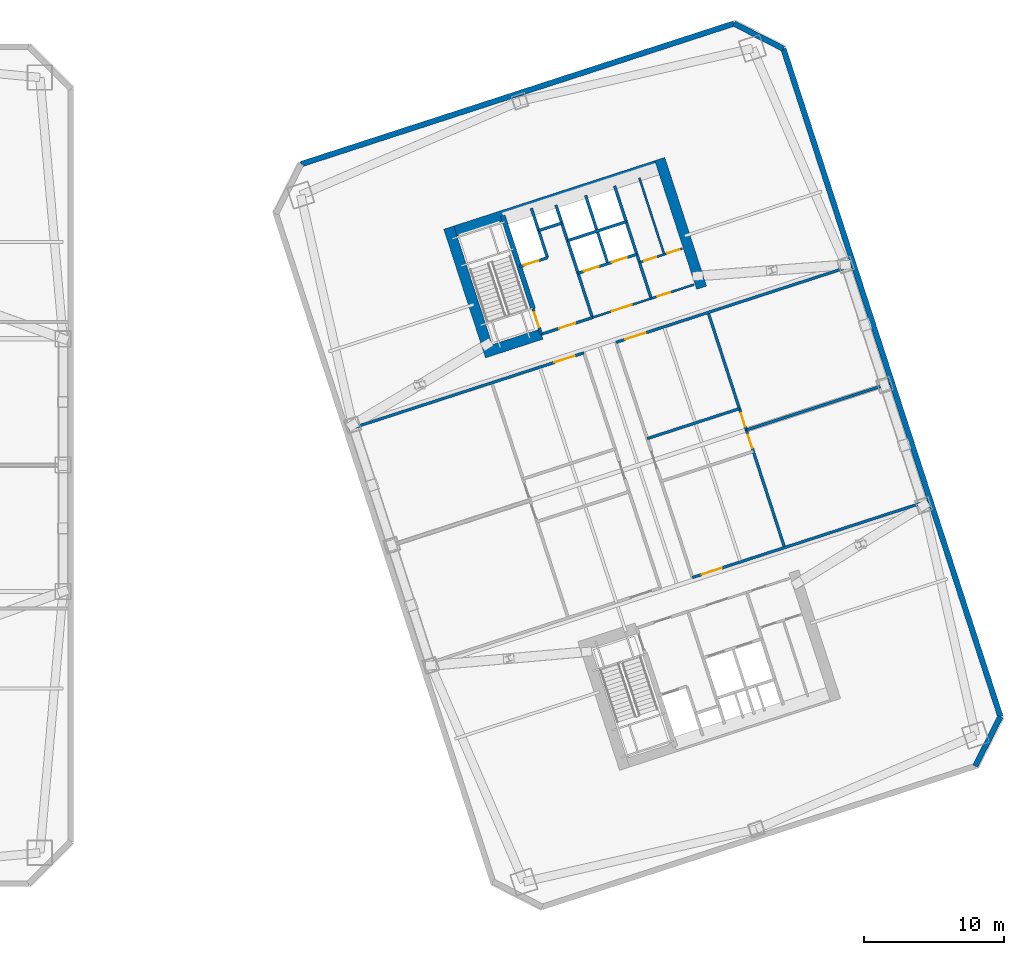
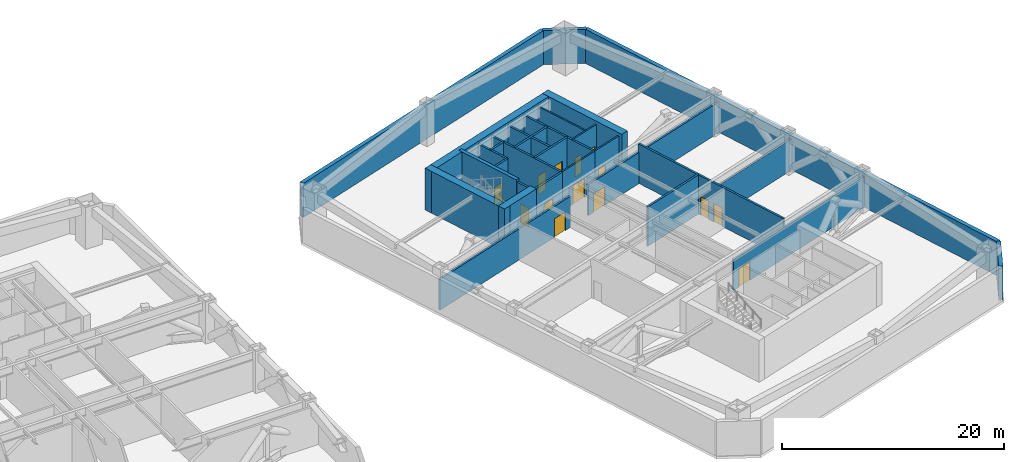
# One storey, part 13 of 16: 29 walls, 14 doors, 14 openings.
"""IFC4 building model written with IfcOpenShell, lengths in metres."""

from ifc_helpers import new_model, si_unit, direction, frame, frame_2d, origin, place, context, subcontext, project, spatial, rectangle, extrude, material, layer, layer_set, type_object, element, fill, save


model = new_model("IFC4")

# Units and contexts
model_context = context("Model", 3, precision=1e-05, world=origin(), true_north=direction((0.0, 1.0)))
body_context = subcontext(model_context, "Body", "Model", "MODEL_VIEW")
ifc_project = project(units=[si_unit("LENGTHUNIT", "METRE"), si_unit("AREAUNIT", "SQUARE_METRE"), si_unit("VOLUMEUNIT", "CUBIC_METRE"), si_unit("PLANEANGLEUNIT", "RADIAN"), si_unit("MASSUNIT", "GRAM", prefix="KILO")], contexts=[model_context])

# Site, building, storey
site_placement = place(None, origin())
site = spatial("IfcSite", under=ifc_project, at=site_placement, CompositionType="ELEMENT")
building_placement = place(site_placement, origin())
building = spatial("IfcBuilding", under=site, at=building_placement, Name="Qiaolan Cultural Towers", CompositionType="ELEMENT")
storey_placement = place(building_placement, frame((0.0, 0.0, 46.0)))
storey = spatial("IfcBuildingStorey", under=building, at=storey_placement, Name="L10", CompositionType="ELEMENT", Elevation=46.0)

# Walls
ifc_material_1 = material(Name="Concrete C50", Category="concrete")
ifc_layer_1 = layer(ifc_material_1, 0.35009765625)
ifc_layer_set_1 = layer_set([ifc_layer_1], Name="Concrete C50")
wall_type_1 = type_object("IfcWallType", Name="WL-CORE-350", PredefinedType="SHEAR", material=ifc_layer_set_1)
wall_1_placement = place(storey_placement, frame((82.513671875, 45.13134765625, 0.0), z_axis=(0.0, 0.0, 1.0), x_axis=(-0.308988790936, 0.951065679686, 0.0)))
element("IfcWall", 1, at=wall_1_placement, inside=storey, type_object=wall_type_1, Name="L10 T2-CN Stair Core Dividing Web", PredefinedType="SHEAR", context=body_context, shape_type="SweptSolid", body=[
    extrude(rectangle(XDim=6.97998046875, YDim=0.35009765625, at=frame_2d((3.489990234375, 0.0))), origin(), (0.0, 0.0, 1.0), 4.60009765625),
])
ifc_material_2 = material(Name="Concrete C60", Category="concrete")
ifc_layer_2 = layer(ifc_material_2, 0.75)
ifc_layer_set_2 = layer_set([ifc_layer_2], Name="Concrete C60")
wall_type_2 = type_object("IfcWallType", Name="WL-CORE-750", PredefinedType="SHEAR", material=ifc_layer_set_2)
wall_2_placement = place(storey_placement, frame((76.27197265625, 50.442626953125, 0.0), z_axis=(0.0, 0.0, 1.0), x_axis=(0.951056072937, 0.309018358888, 0.0)))
element("IfcWall", 2, at=wall_2_placement, inside=storey, type_object=wall_type_2, Name="L10 T2-CN Outer Core Shear Wall", PredefinedType="SHEAR", context=body_context, shape_type="SweptSolid", body=[
    extrude(rectangle(XDim=16.550048828125, YDim=0.75, at=frame_2d((8.27490234375, 0.0))), origin(), (0.0, 0.0, 1.0), 4.60009765625),
])
for number, where, z_axis, x_axis, name in (
    (3, (79.48876953125, 41.75634765625, 0.0), (0.0, 0.0, 1.0), (-0.309016134813, 0.951056795583, 0.0), "L10 T2-CN West Core Shear Wall"),
    (4, (94.515380859375, 46.638916015625, 0.0), (0.0, 0.0, 1.0), (-0.309016134813, 0.951056795583, 0.0), "L10 T2-CN East Core Shear Wall"),
):
    element("IfcWall", number, at=place(storey_placement, frame(where, z_axis=z_axis, x_axis=x_axis)), inside=storey, type_object=wall_type_2, Name=name, PredefinedType="SHEAR", context=body_context, shape_type="SweptSolid", body=[
        extrude(rectangle(XDim=9.630126953125, YDim=0.75, at=frame_2d((4.81494140625, 0.0))), origin(), (0.0, 0.0, 1.0), 4.60009765625),
    ])
wall_3_placement = place(storey_placement, frame((79.01611328125, 41.997314453125, 0.0), z_axis=(0.0, 0.0, 1.0), x_axis=(0.95106038264, 0.309005094736, 0.0)))
element("IfcWall", 5, at=wall_3_placement, inside=storey, type_object=wall_type_2, Name="L10 T2-CN Stair Front Shear Wall", PredefinedType="SHEAR", context=body_context, shape_type="SweptSolid", body=[
    extrude(rectangle(XDim=4.294921875, YDim=0.75, at=frame_2d((2.1474609375, 0.0))), origin(), (0.0, 0.0, 1.0), 4.60009765625),
])
ifc_material_3 = material(Name="Precast Concrete C50 Honed Stone Pier", Category="masonry")
ifc_layer_3 = layer(ifc_material_3, 0.39990234375)
ifc_layer_set_3 = layer_set([ifc_layer_3], Name="Precast Concrete C50 Honed Stone Pier")
wall_type_3 = type_object("IfcWallType", Name="WL-EXT-PIER-400", PredefinedType="SOLIDWALL", material=ifc_layer_set_3)
wall_4_placement = place(storey_placement, frame((66.002197265625, 55.433349609375, 0.0), z_axis=(0.0, 0.0, 1.0), x_axis=(0.951055939317, 0.309018770125, 0.0)))
element("IfcWall", 6, at=wall_4_placement, inside=storey, type_object=wall_type_3, Name="L10 East Tower Precast Pier Facade Wall F3", PredefinedType="SOLIDWALL", context=body_context, shape_type="SweptSolid", body=[
    extrude(rectangle(XDim=32.39990234375, YDim=0.39990234375, at=frame_2d((16.199951171875, 0.0))), origin(), (0.0, 0.0, 1.0), 3.760009765625),
])
wall_5_placement = place(storey_placement, frame((96.81640625, 65.445556640625, 0.0), z_axis=(0.0, 0.0, 1.0), x_axis=(0.890998089617, -0.454007053137, 0.0)))
element("IfcWall", 7, at=wall_5_placement, inside=storey, type_object=wall_type_3, Name="L10 East Tower Precast Pier Facade Wall F4", PredefinedType="SOLIDWALL", context=body_context, shape_type="SweptSolid", body=[
    extrude(rectangle(XDim=3.9599609375, YDim=0.39990234375, at=frame_2d((1.97998046875, 0.0))), origin(), (0.0, 0.0, 1.0), 3.760009765625),
])
wall_6_placement = place(storey_placement, frame((100.3447265625, 63.647705078125, 0.0), z_axis=(0.0, 0.0, 1.0), x_axis=(0.309014526607, -0.951057318118, 0.0)))
element("IfcWall", 8, at=wall_6_placement, inside=storey, type_object=wall_type_3, Name="L10 East Tower Precast Pier Facade Wall F5", PredefinedType="SOLIDWALL", context=body_context, shape_type="SweptSolid", body=[
    extrude(rectangle(XDim=49.999755859375, YDim=0.39990234375, at=frame_2d((25.0, 0.0))), origin(), (0.0, 0.0, 1.0), 3.760009765625),
])
wall_7_placement = place(storey_placement, frame((115.79541015625, 16.094970703125, 0.0), z_axis=(0.0, 0.0, 1.0), x_axis=(-0.453958106755, -0.891023028497, 0.0)))
element("IfcWall", 9, at=wall_7_placement, inside=storey, type_object=wall_type_3, Name="L10 East Tower Precast Pier Facade Wall F6", PredefinedType="SOLIDWALL", context=body_context, shape_type="SweptSolid", body=[
    extrude(rectangle(XDim=3.9599609375, YDim=0.39990234375, at=frame_2d((1.97998046875, 0.0))), origin(), (0.0, 0.0, 1.0), 3.760009765625),
])

# Wall, opening, door
ifc_material_4 = material(Name="Concrete C35 Fire Wall", Category="concrete")
ifc_layer_4 = layer(ifc_material_4, 0.199951171875)
ifc_layer_set_4 = layer_set([ifc_layer_4], Name="Concrete C35 Fire Wall")
wall_type_4 = type_object("IfcWallType", Name="WL-FIRE-200", PredefinedType="PARTITIONING", material=ifc_layer_set_4)
wall_8_placement = place(storey_placement, frame((83.100830078125, 43.324462890625, 0.0), z_axis=(0.0, 0.0, 1.0), x_axis=(-0.309048298632, 0.951046344356, 0.0)))
wall_8 = element("IfcWall", 10, at=wall_8_placement, inside=storey, type_object=wall_type_4, Name="L10 T2-CN Smokeproof Stair Entry Wall", PredefinedType="PARTITIONING", context=body_context, shape_type="SweptSolid", body=[
    extrude(rectangle(XDim=1.89990234375, YDim=0.199951171875, at=frame_2d((0.949951171875, 0.0))), origin(), (0.0, 0.0, 1.0), 4.324951171875),
])
opening_1_placement = place(wall_8_placement, frame((0.52001953125, 0.0, 0.0)))
opening_1 = element("IfcOpeningElement", 11, at=opening_1_placement, cuts=wall_8, Name="Opening FD-04", PredefinedType="OPENING", context=body_context, shape_type="SweptSolid", body=[
    extrude(rectangle(XDim=1.10009765625, YDim=2.050048828125, at=frame_2d((0.550048828125, 1.02490234375))), frame((0.0, 0.10986328125, 0.0), z_axis=(0.0, -1.0, 0.0), x_axis=(1.0, 0.0, 0.0)), (0.0, 0.0, 1.0), 0.219970703125),
])
ifc_material_5 = material(Name="Galvanized Steel Command Fire Door", Category="steel")
door_type_1 = type_object("IfcDoorType", Name="DR-FD90-1100", OperationType="NOTDEFINED", PredefinedType="DOOR", material=ifc_material_5)
door_1_placement = place(opening_1_placement, origin())
door_1 = element("IfcDoor", 12, at=door_1_placement, inside=storey, type_object=door_type_1, Name="L10 ST-E2 Smokeproof Stair Fire Door", OperationType="SINGLE_SWING_LEFT", OverallHeight=2.050048828125, OverallWidth=1.10009765625, PredefinedType="DOOR", context=body_context, shape_type="SweptSolid", body=[
    extrude(rectangle(XDim=1.10009765625, YDim=2.050048828125, at=frame_2d((0.550048828125, 1.02490234375))), frame((0.0, 0.02490234375, 0.0), z_axis=(0.0, -1.0, 0.0), x_axis=(1.0, 0.0, 0.0)), (0.0, 0.0, 1.0), 0.050048828125),
])
fill(opening_1, door_1)

# Wall
wall_9_placement = place(storey_placement, frame((86.743408203125, 44.508056640625, 0.0), z_axis=(0.0, 0.0, 1.0), x_axis=(-0.309016001439, 0.951056838919, 0.0)))
element("IfcWall", 13, at=wall_9_placement, inside=storey, type_object=wall_type_4, Name="L10 T2-CN Firefighting Zone Wall", PredefinedType="PARTITIONING", context=body_context, shape_type="SweptSolid", body=[
    extrude(rectangle(XDim=8.429931640625, YDim=0.199951171875, at=frame_2d((4.21484375, 0.0))), origin(), (0.0, 0.0, 1.0), 4.324951171875),
])

# Wall, opening, door
wall_10_placement = place(storey_placement, frame((83.100830078125, 43.324462890625, 0.0), z_axis=(0.0, 0.0, 1.0), x_axis=(0.951052804469, 0.309028417967, 0.0)))
wall_10 = element("IfcWall", 14, at=wall_10_placement, inside=storey, type_object=wall_type_4, Name="L10 T2-CN Firefighting Lobby Front Wall", PredefinedType="PARTITIONING", context=body_context, shape_type="SweptSolid", body=[
    extrude(rectangle(XDim=3.830078125, YDim=0.199951171875, at=frame_2d((1.9150390625, 0.0))), origin(), (0.0, 0.0, 1.0), 4.324951171875),
])
opening_2_placement = place(wall_10_placement, frame((1.35009765625, 0.0, 0.0)))
opening_2 = element("IfcOpeningElement", 15, at=opening_2_placement, cuts=wall_10, Name="Opening FD-03", PredefinedType="OPENING", context=body_context, shape_type="SweptSolid", body=[
    extrude(rectangle(XDim=1.199951171875, YDim=2.050048828125, at=frame_2d((0.60009765625, 1.02490234375))), frame((0.0, 0.10986328125, 0.0), z_axis=(0.0, -1.0, 0.0), x_axis=(1.0, 0.0, 0.0)), (0.0, 0.0, 1.0), 0.219970703125),
])
ifc_material_6 = material(Name="Galvanized Steel Smokeproof Lobby Fire Door", Category="steel")
door_type_2 = type_object("IfcDoorType", Name="DR-FD90-1200", OperationType="NOTDEFINED", PredefinedType="DOOR", material=ifc_material_6)
door_2_placement = place(opening_2_placement, origin())
door_2 = element("IfcDoor", 16, at=door_2_placement, inside=storey, type_object=door_type_2, Name="L10 FFL-E2 Firefighting Lobby Fire Door", OperationType="SINGLE_SWING_LEFT", OverallHeight=2.050048828125, OverallWidth=1.199951171875, PredefinedType="DOOR", context=body_context, shape_type="SweptSolid", body=[
    extrude(rectangle(XDim=1.199951171875, YDim=2.050048828125, at=frame_2d((0.60009765625, 1.02490234375))), frame((0.0, 0.02490234375, 0.0), z_axis=(0.0, -1.0, 0.0), x_axis=(1.0, 0.0, 0.0)), (0.0, 0.0, 1.0), 0.050048828125),
])
fill(opening_2, door_2)

wall_11_placement = place(storey_placement, frame((81.540283203125, 48.127197265625, 0.0), z_axis=(0.0, 0.0, 1.0), x_axis=(0.951062257173, 0.308999325213, 0.0)))
wall_11 = element("IfcWall", 17, at=wall_11_placement, inside=storey, type_object=wall_type_4, Name="L10 T2-CN Firefighting Shaft Front Wall", PredefinedType="PARTITIONING", context=body_context, shape_type="SweptSolid", body=[
    extrude(rectangle(XDim=2.10009765625, YDim=0.199951171875, at=frame_2d((1.050048828125, 0.0))), origin(), (0.0, 0.0, 1.0), 4.324951171875),
])
opening_3_placement = place(wall_11_placement, frame((0.35009765625, 0.0, 0.0)))
opening_3 = element("IfcOpeningElement", 18, at=opening_3_placement, cuts=wall_11, Name="Opening LD-01", PredefinedType="OPENING", context=body_context, shape_type="SweptSolid", body=[
    extrude(rectangle(XDim=1.10009765625, YDim=2.050048828125, at=frame_2d((0.550048828125, 1.02490234375))), frame((0.0, 0.10986328125, 0.0), z_axis=(0.0, -1.0, 0.0), x_axis=(1.0, 0.0, 0.0)), (0.0, 0.0, 1.0), 0.219970703125),
])
ifc_material_7 = material(Name="Brushed Stainless Steel S30408 Centre-Parting Lift Landing Door", Category="steel")
door_type_3 = type_object("IfcDoorType", Name="DR-LIFT-1100", OperationType="NOTDEFINED", PredefinedType="DOOR", material=ifc_material_7)
door_3_placement = place(opening_3_placement, origin())
door_3 = element("IfcDoor", 19, at=door_3_placement, inside=storey, type_object=door_type_3, Name="L10 FFL-E2 Firefighting Lift Landing Door", OperationType="DOUBLE_DOOR_SLIDING", OverallHeight=2.050048828125, OverallWidth=1.10009765625, PredefinedType="DOOR", context=body_context, shape_type="SweptSolid", body=[
    extrude(rectangle(XDim=1.10009765625, YDim=2.050048828125, at=frame_2d((0.550048828125, 1.02490234375))), frame((0.0, 0.02490234375, 0.0), z_axis=(0.0, -1.0, 0.0), x_axis=(1.0, 0.0, 0.0)), (0.0, 0.0, 1.0), 0.050048828125),
])
fill(opening_3, door_3)

# Walls
wall_12_placement = place(storey_placement, frame((83.53759765625, 48.776123046875, 0.0), z_axis=(0.0, 0.0, 1.0), x_axis=(-0.3089935693, 0.951064127245, 0.0)))
element("IfcWall", 20, at=wall_12_placement, inside=storey, type_object=wall_type_4, Name="L10 T2-CN Firefighting Hoistway East Wall", PredefinedType="PARTITIONING", context=body_context, shape_type="SweptSolid", body=[
    extrude(rectangle(XDim=3.7001953125, YDim=0.199951171875, at=frame_2d((1.85009765625, 0.0))), origin(), (0.0, 0.0, 1.0), 4.324951171875),
])
wall_13_placement = place(storey_placement, frame((82.910400390625, 50.706787109375, 0.0), z_axis=(0.0, 0.0, 1.0), x_axis=(0.951041328149, 0.309063734775, 0.0)))
element("IfcWall", 21, at=wall_13_placement, inside=storey, type_object=wall_type_4, Name="L10 T2-CN Pressurization Shaft Front Wall", PredefinedType="PARTITIONING", context=body_context, shape_type="SweptSolid", body=[
    extrude(rectangle(XDim=1.72998046875, YDim=0.199951171875, at=frame_2d((0.864990234375, 0.0))), origin(), (0.0, 0.0, 1.0), 4.324951171875),
])
wall_14_placement = place(storey_placement, frame((90.92822265625, 45.86767578125, 0.0), z_axis=(0.0, 0.0, 1.0), x_axis=(-0.309042196757, 0.951048327176, 0.0)))
element("IfcWall", 22, at=wall_14_placement, inside=storey, type_object=wall_type_4, Name="L10 T2-CN Lift Core East Wall", PredefinedType="PARTITIONING", context=body_context, shape_type="SweptSolid", body=[
    extrude(rectangle(XDim=8.429931640625, YDim=0.199951171875, at=frame_2d((4.21484375, 0.0))), origin(), (0.0, 0.0, 1.0), 4.324951171875),
])

# Wall, openings, doors
wall_15_placement = place(storey_placement, frame((85.717529296875, 47.66552734375, 0.0), z_axis=(0.0, 0.0, 1.0), x_axis=(0.951058531764, 0.30901079133, 0.0)))
wall_15 = element("IfcWall", 23, at=wall_15_placement, inside=storey, type_object=wall_type_4, Name="L10 T2-CN Passenger Lift Shaft Front Wall", PredefinedType="PARTITIONING", context=body_context, shape_type="SweptSolid", body=[
    extrude(rectangle(XDim=4.39990234375, YDim=0.199951171875, at=frame_2d((2.199951171875, 0.0))), origin(), (0.0, 0.0, 1.0), 4.324951171875),
])
opening_4_placement = place(wall_15_placement, frame((0.449951171875, 0.0, 0.0)))
opening_4 = element("IfcOpeningElement", 24, at=opening_4_placement, cuts=wall_15, Name="Opening LD-01", PredefinedType="OPENING", context=body_context, shape_type="SweptSolid", body=[
    extrude(rectangle(XDim=1.10009765625, YDim=2.050048828125, at=frame_2d((0.550048828125, 1.02490234375))), frame((0.0, 0.10986328125, 0.0), z_axis=(0.0, -1.0, 0.0), x_axis=(1.0, 0.0, 0.0)), (0.0, 0.0, 1.0), 0.219970703125),
])
opening_5_placement = place(wall_15_placement, frame((2.550048828125, 0.0, 0.0)))
opening_5 = element("IfcOpeningElement", 25, at=opening_5_placement, cuts=wall_15, Name="Opening LD-01", PredefinedType="OPENING", context=body_context, shape_type="SweptSolid", body=[
    extrude(rectangle(XDim=1.10009765625, YDim=2.050048828125, at=frame_2d((0.550048828125, 1.02490234375))), frame((0.0, 0.10986328125, 0.0), z_axis=(0.0, -1.0, 0.0), x_axis=(1.0, 0.0, 0.0)), (0.0, 0.0, 1.0), 0.219970703125),
])
door_4_placement = place(opening_4_placement, origin())
door_4 = element("IfcDoor", 26, at=door_4_placement, inside=storey, type_object=door_type_3, Name="L10 Passenger Lift 1 Landing Door", OperationType="DOUBLE_DOOR_SLIDING", OverallHeight=2.050048828125, OverallWidth=1.10009765625, PredefinedType="DOOR", context=body_context, shape_type="SweptSolid", body=[
    extrude(rectangle(XDim=1.10009765625, YDim=2.050048828125, at=frame_2d((0.550048828125, 1.02490234375))), frame((0.0, 0.02490234375, 0.0), z_axis=(0.0, -1.0, 0.0), x_axis=(1.0, 0.0, 0.0)), (0.0, 0.0, 1.0), 0.050048828125),
])
fill(opening_4, door_4)
door_5_placement = place(opening_5_placement, origin())
door_5 = element("IfcDoor", 27, at=door_5_placement, inside=storey, type_object=door_type_3, Name="L10 Passenger Lift 2 Landing Door", OperationType="DOUBLE_DOOR_SLIDING", OverallHeight=2.050048828125, OverallWidth=1.10009765625, PredefinedType="DOOR", context=body_context, shape_type="SweptSolid", body=[
    extrude(rectangle(XDim=1.10009765625, YDim=2.050048828125, at=frame_2d((0.550048828125, 1.02490234375))), frame((0.0, 0.02490234375, 0.0), z_axis=(0.0, -1.0, 0.0), x_axis=(1.0, 0.0, 0.0)), (0.0, 0.0, 1.0), 0.050048828125),
])
fill(opening_5, door_5)

# Walls
wall_16_placement = place(storey_placement, frame((87.83837890625, 48.3544921875, 0.0), z_axis=(0.0, 0.0, 1.0), x_axis=(-0.3090093719, 0.951058992953, 0.0)))
element("IfcWall", 28, at=wall_16_placement, inside=storey, type_object=wall_type_4, Name="L10 T2-CN Lift Shaft Divider Wall", PredefinedType="PARTITIONING", context=body_context, shape_type="SweptSolid", body=[
    extrude(rectangle(XDim=5.110107421875, YDim=0.199951171875, at=frame_2d((2.55517578125, 0.0))), origin(), (0.0, 0.0, 1.0), 4.324951171875),
])
wall_17_placement = place(storey_placement, frame((84.966552734375, 49.9765625, 0.0), z_axis=(0.0, 0.0, 1.0), x_axis=(0.951063829732, 0.308994485023, 0.0)))
element("IfcWall", 29, at=wall_17_placement, inside=storey, type_object=wall_type_4, Name="L10 T2-CN Passenger Lift Shaft Back Wall", PredefinedType="PARTITIONING", context=body_context, shape_type="SweptSolid", body=[
    extrude(rectangle(XDim=4.400146484375, YDim=0.199951171875, at=frame_2d((2.2001953125, 0.0))), origin(), (0.0, 0.0, 1.0), 4.324951171875),
])

# Wall, opening, door
wall_18_placement = place(storey_placement, frame((93.860595703125, 26.00146484375, 0.0), z_axis=(0.0, 0.0, 1.0), x_axis=(0.951055779591, 0.309019261708, 0.0)))
wall_18 = element("IfcWall", 30, at=wall_18_placement, inside=storey, type_object=wall_type_4, Name="L10 T2 Fire Rated Plant/Refuge Wall SBE", PredefinedType="PARTITIONING", context=body_context, shape_type="SweptSolid", body=[
    extrude(rectangle(XDim=17.599853515625, YDim=0.199951171875, at=frame_2d((8.7998046875, 0.0))), origin(), (0.0, 0.0, 1.0), 3.4150390625),
])
opening_6_placement = place(wall_18_placement, frame((0.699951171875, 0.0, 0.0)))
opening_6 = element("IfcOpeningElement", 31, at=opening_6_placement, cuts=wall_18, Name="Opening FD-02", PredefinedType="OPENING", context=body_context, shape_type="SweptSolid", body=[
    extrude(rectangle(XDim=1.5, YDim=2.050048828125, at=frame_2d((0.75, 1.02490234375))), frame((0.0, 0.10986328125, 0.0), z_axis=(0.0, -1.0, 0.0), x_axis=(1.0, 0.0, 0.0)), (0.0, 0.0, 1.0), 0.219970703125),
])
ifc_material_8 = material(Name="Galvanized Steel Double Fire Door", Category="steel")
door_type_4 = type_object("IfcDoorType", Name="DR-FD90-1500", OperationType="NOTDEFINED", PredefinedType="DOOR", material=ifc_material_8)
door_6_placement = place(opening_6_placement, origin())
door_6 = element("IfcDoor", 32, at=door_6_placement, inside=storey, type_object=door_type_4, Name="L10 T2 East South Refuge Fire Door", OperationType="SINGLE_SWING_RIGHT", OverallHeight=2.050048828125, OverallWidth=1.5, PredefinedType="DOOR", context=body_context, shape_type="SweptSolid", body=[
    extrude(rectangle(XDim=1.5, YDim=2.050048828125, at=frame_2d((0.75, 1.02490234375))), frame((0.0, 0.02490234375, 0.0), z_axis=(0.0, -1.0, 0.0), x_axis=(1.0, 0.0, 0.0)), (0.0, 0.0, 1.0), 0.050048828125),
])
fill(opening_6, door_6)

wall_19_placement = place(storey_placement, frame((69.40087890625, 36.559814453125, 0.0), z_axis=(0.0, 0.0, 1.0), x_axis=(0.951055779591, 0.309019261708, 0.0)))
wall_19 = element("IfcWall", 33, at=wall_19_placement, inside=storey, type_object=wall_type_4, Name="L10 T2 Fire Rated Plant/Refuge Wall NBW", PredefinedType="PARTITIONING", context=body_context, shape_type="SweptSolid", body=[
    extrude(rectangle(XDim=17.599853515625, YDim=0.199951171875, at=frame_2d((8.7998046875, 0.0))), origin(), (0.0, 0.0, 1.0), 3.4150390625),
])
opening_7_placement = place(wall_19_placement, frame((15.39990234375, 0.0, 0.0)))
opening_7 = element("IfcOpeningElement", 34, at=opening_7_placement, cuts=wall_19, Name="Opening FD-02", PredefinedType="OPENING", context=body_context, shape_type="SweptSolid", body=[
    extrude(rectangle(XDim=1.5, YDim=2.050048828125, at=frame_2d((0.75, 1.02490234375))), frame((0.0, 0.10986328125, 0.0), z_axis=(0.0, -1.0, 0.0), x_axis=(1.0, 0.0, 0.0)), (0.0, 0.0, 1.0), 0.219970703125),
])
door_7_placement = place(opening_7_placement, origin())
door_7 = element("IfcDoor", 35, at=door_7_placement, inside=storey, type_object=door_type_4, Name="L10 T2 West North Refuge Fire Door", OperationType="SINGLE_SWING_LEFT", OverallHeight=2.050048828125, OverallWidth=1.5, PredefinedType="DOOR", context=body_context, shape_type="SweptSolid", body=[
    extrude(rectangle(XDim=1.5, YDim=2.050048828125, at=frame_2d((0.75, 1.02490234375))), frame((0.0, 0.02490234375, 0.0), z_axis=(0.0, -1.0, 0.0), x_axis=(1.0, 0.0, 0.0)), (0.0, 0.0, 1.0), 0.050048828125),
])
fill(opening_7, door_7)

wall_20_placement = place(storey_placement, frame((88.421875, 42.740234375, 0.0), z_axis=(0.0, 0.0, 1.0), x_axis=(0.951059856335, 0.3090067146, 0.0)))
wall_20 = element("IfcWall", 36, at=wall_20_placement, inside=storey, type_object=wall_type_4, Name="L10 T2 Fire Rated Plant/Refuge Wall NBE", PredefinedType="PARTITIONING", context=body_context, shape_type="SweptSolid", body=[
    extrude(rectangle(XDim=17.599853515625, YDim=0.199951171875, at=frame_2d((8.7998046875, 0.0))), origin(), (0.0, 0.0, 1.0), 3.4150390625),
])
opening_8_placement = place(wall_20_placement, frame((0.699951171875, 0.0, 0.0)))
opening_8 = element("IfcOpeningElement", 37, at=opening_8_placement, cuts=wall_20, Name="Opening FD-02", PredefinedType="OPENING", context=body_context, shape_type="SweptSolid", body=[
    extrude(rectangle(XDim=1.5, YDim=2.050048828125, at=frame_2d((0.75, 1.02490234375))), frame((0.0, 0.10986328125, 0.0), z_axis=(0.0, -1.0, 0.0), x_axis=(1.0, 0.0, 0.0)), (0.0, 0.0, 1.0), 0.219970703125),
])
door_8_placement = place(opening_8_placement, origin())
door_8 = element("IfcDoor", 38, at=door_8_placement, inside=storey, type_object=door_type_4, Name="L10 T2 East North Refuge Fire Door", OperationType="SINGLE_SWING_RIGHT", OverallHeight=2.050048828125, OverallWidth=1.5, PredefinedType="DOOR", context=body_context, shape_type="SweptSolid", body=[
    extrude(rectangle(XDim=1.5, YDim=2.050048828125, at=frame_2d((0.75, 1.02490234375))), frame((0.0, 0.02490234375, 0.0), z_axis=(0.0, -1.0, 0.0), x_axis=(1.0, 0.0, 0.0)), (0.0, 0.0, 1.0), 0.050048828125),
])
fill(opening_8, door_8)

# Wall, openings, doors
wall_21_placement = place(storey_placement, frame((100.4228515625, 28.1337890625, 0.0), z_axis=(0.0, 0.0, 1.0), x_axis=(-0.309019261708, 0.951055779591, 0.0)))
wall_21 = element("IfcWall", 39, at=wall_21_placement, inside=storey, type_object=wall_type_4, Name="L10 T2 Fire Rated Plant/Refuge Wall ER", PredefinedType="PARTITIONING", context=body_context, shape_type="SweptSolid", body=[
    extrude(rectangle(XDim=17.599853515625, YDim=0.199951171875, at=frame_2d((8.7998046875, 0.0))), origin(), (0.0, 0.0, 1.0), 4.324951171875),
])
opening_9_placement = place(wall_21_placement, frame((7.449951171875, 0.0, 0.0)))
opening_9 = element("IfcOpeningElement", 40, at=opening_9_placement, cuts=wall_21, Name="Opening FD-07", PredefinedType="OPENING", context=body_context, shape_type="SweptSolid", body=[
    extrude(rectangle(XDim=1.0, YDim=2.050048828125, at=frame_2d((0.5, 1.02490234375))), frame((0.0, 0.10986328125, 0.0), z_axis=(0.0, -1.0, 0.0), x_axis=(1.0, 0.0, 0.0)), (0.0, 0.0, 1.0), 0.219970703125),
])
opening_10_placement = place(wall_21_placement, frame((9.050048828125, 0.0, 0.0)))
opening_10 = element("IfcOpeningElement", 41, at=opening_10_placement, cuts=wall_21, Name="Opening FD-07", PredefinedType="OPENING", context=body_context, shape_type="SweptSolid", body=[
    extrude(rectangle(XDim=1.0, YDim=2.050048828125, at=frame_2d((0.5, 1.02490234375))), frame((0.0, 0.10986328125, 0.0), z_axis=(0.0, -1.0, 0.0), x_axis=(1.0, 0.0, 0.0)), (0.0, 0.0, 1.0), 0.219970703125),
])
ifc_material_9 = material(Name="Painted Steel Riser Fire Door", Category="steel")
door_type_5 = type_object("IfcDoorType", Name="DR-FD60-1000", OperationType="NOTDEFINED", PredefinedType="DOOR", material=ifc_material_9)
door_9_placement = place(opening_9_placement, origin())
door_9 = element("IfcDoor", 42, at=door_9_placement, inside=storey, type_object=door_type_5, Name="L10 T2 East AHU Plant Door", OperationType="SINGLE_SWING_LEFT", OverallHeight=2.050048828125, OverallWidth=1.0, PredefinedType="DOOR", context=body_context, shape_type="SweptSolid", body=[
    extrude(rectangle(XDim=1.0, YDim=2.050048828125, at=frame_2d((0.5, 1.02490234375))), frame((0.0, 0.02490234375, 0.0), z_axis=(0.0, -1.0, 0.0), x_axis=(1.0, 0.0, 0.0)), (0.0, 0.0, 1.0), 0.050048828125),
])
fill(opening_9, door_9)
door_10_placement = place(opening_10_placement, origin())
door_10 = element("IfcDoor", 43, at=door_10_placement, inside=storey, type_object=door_type_5, Name="L10 T2 East Electrical Substation Door", OperationType="SINGLE_SWING_RIGHT", OverallHeight=2.050048828125, OverallWidth=1.0, PredefinedType="DOOR", context=body_context, shape_type="SweptSolid", body=[
    extrude(rectangle(XDim=1.0, YDim=2.050048828125, at=frame_2d((0.5, 1.02490234375))), frame((0.0, 0.02490234375, 0.0), z_axis=(0.0, -1.0, 0.0), x_axis=(1.0, 0.0, 0.0)), (0.0, 0.0, 1.0), 0.050048828125),
])
fill(opening_10, door_10)

# Walls
wall_22_placement = place(storey_placement, frame((97.70361328125, 36.5029296875, 0.0), z_axis=(0.0, 0.0, 1.0), x_axis=(0.951051840825, 0.309031383622, 0.0)))
element("IfcWall", 44, at=wall_22_placement, inside=storey, type_object=wall_type_4, Name="L10 T2 Fire Rated Plant/Refuge Wall EMID", PredefinedType="PARTITIONING", context=body_context, shape_type="SweptSolid", body=[
    extrude(rectangle(XDim=10.699951171875, YDim=0.199951171875, at=frame_2d((5.35009765625, 0.0))), origin(), (0.0, 0.0, 1.0), 3.4150390625),
])
wall_23_placement = place(storey_placement, frame((90.646728515625, 35.892578125, 0.0), z_axis=(0.0, 0.0, 1.0), x_axis=(0.951065265554, 0.308990065628, 0.0)))
element("IfcWall", 45, at=wall_23_placement, inside=storey, type_object=wall_type_4, Name="L10 T2 Fire Rated Plant/Refuge Wall SVS-NR", PredefinedType="PARTITIONING", context=body_context, shape_type="SweptSolid", body=[
    extrude(rectangle(XDim=6.900146484375, YDim=0.199951171875, at=frame_2d((3.4501953125, 0.0))), origin(), (0.0, 0.0, 1.0), 4.324951171875),
])

# Wall, opening, door
ifc_material_10 = material(Name="Autoclaved Aerated Concrete Block B06", Category="concrete")
ifc_layer_5 = layer(ifc_material_10, 0.14990234375)
ifc_layer_set_5 = layer_set([ifc_layer_5], Name="Autoclaved Aerated Concrete Block B06")
wall_type_5 = type_object("IfcWallType", Name="WL-PART-150", PredefinedType="PARTITIONING", material=ifc_layer_set_5)
wall_24_placement = place(storey_placement, frame((86.743408203125, 44.508056640625, 0.0), z_axis=(0.0, 0.0, 1.0), x_axis=(0.951063829732, 0.308994485023, 0.0)))
wall_24 = element("IfcWall", 46, at=wall_24_placement, inside=storey, type_object=wall_type_5, Name="L10 T2-CN Passenger Lift Lobby Front Wall", PredefinedType="PARTITIONING", context=body_context, shape_type="SweptSolid", body=[
    extrude(rectangle(XDim=4.400146484375, YDim=0.14990234375, at=frame_2d((2.2001953125, 0.0))), origin(), (0.0, 0.0, 1.0), 4.324951171875),
])
opening_11_placement = place(wall_24_placement, frame((1.449951171875, 0.0, 0.0)))
opening_11 = element("IfcOpeningElement", 47, at=opening_11_placement, cuts=wall_24, Name="Opening FD-05", PredefinedType="OPENING", context=body_context, shape_type="SweptSolid", body=[
    extrude(rectangle(XDim=1.5, YDim=2.050048828125, at=frame_2d((0.75, 1.02490234375))), frame((0.0, 0.0849609375, 0.0), z_axis=(0.0, -1.0, 0.0), x_axis=(1.0, 0.0, 0.0)), (0.0, 0.0, 1.0), 0.169921875),
])
ifc_material_11 = material(Name="Painted Steel Lift Lobby Fire Door", Category="steel")
door_type_6 = type_object("IfcDoorType", Name="DR-FD60-1500", OperationType="NOTDEFINED", PredefinedType="DOOR", material=ifc_material_11)
door_11_placement = place(opening_11_placement, origin())
door_11 = element("IfcDoor", 48, at=door_11_placement, inside=storey, type_object=door_type_6, Name="L10 Passenger Lift Lobby Entrance", OperationType="SINGLE_SWING_LEFT", OverallHeight=2.050048828125, OverallWidth=1.5, PredefinedType="DOOR", context=body_context, shape_type="SweptSolid", body=[
    extrude(rectangle(XDim=1.5, YDim=2.050048828125, at=frame_2d((0.75, 1.02490234375))), frame((0.0, 0.02490234375, 0.0), z_axis=(0.0, -1.0, 0.0), x_axis=(1.0, 0.0, 0.0)), (0.0, 0.0, 1.0), 0.050048828125),
])
fill(opening_11, door_11)

wall_25_placement = place(storey_placement, frame((90.92822265625, 45.86767578125, 0.0), z_axis=(0.0, 0.0, 1.0), x_axis=(0.951059297078, 0.309008435874, 0.0)))
wall_25 = element("IfcWall", 49, at=wall_25_placement, inside=storey, type_object=wall_type_5, Name="L10 T2-CN Sanitary Core Front Wall", PredefinedType="PARTITIONING", context=body_context, shape_type="SweptSolid", body=[
    extrude(rectangle(XDim=3.19970703125, YDim=0.14990234375, at=frame_2d((1.599853515625, 0.0))), origin(), (0.0, 0.0, 1.0), 4.324951171875),
])
opening_12_placement = place(wall_25_placement, frame((0.449951171875, 0.0, 0.0)))
opening_12 = element("IfcOpeningElement", 50, at=opening_12_placement, cuts=wall_25, Name="Opening ID-05", PredefinedType="OPENING", context=body_context, shape_type="SweptSolid", body=[
    extrude(rectangle(XDim=0.949951171875, YDim=2.050048828125, at=frame_2d((0.47509765625, 1.02490234375))), frame((0.0, 0.0849609375, 0.0), z_axis=(0.0, -1.0, 0.0), x_axis=(1.0, 0.0, 0.0)), (0.0, 0.0, 1.0), 0.169921875),
])
ifc_material_12 = material(Name="Fire-Rated Laminate Accessible Core Door", Category="timber")
door_type_7 = type_object("IfcDoorType", Name="DR-INT-950", OperationType="NOTDEFINED", PredefinedType="DOOR", material=ifc_material_12)
door_12_placement = place(opening_12_placement, origin())
door_12 = element("IfcDoor", 51, at=door_12_placement, inside=storey, type_object=door_type_7, Name="L10 Sanitary Vestibule Door", OperationType="SINGLE_SWING_LEFT", OverallHeight=2.050048828125, OverallWidth=0.949951171875, PredefinedType="DOOR", context=body_context, shape_type="SweptSolid", body=[
    extrude(rectangle(XDim=0.949951171875, YDim=2.050048828125, at=frame_2d((0.47509765625, 1.02490234375))), frame((0.0, 0.02490234375, 0.0), z_axis=(0.0, -1.0, 0.0), x_axis=(1.0, 0.0, 0.0)), (0.0, 0.0, 1.0), 0.050048828125),
])
fill(opening_12, door_12)

# Wall, openings, doors
wall_26_placement = place(storey_placement, frame((90.09375, 48.435546875, 0.0), z_axis=(0.0, 0.0, 1.0), x_axis=(0.951066581729, 0.308986014439, 0.0)))
wall_26 = element("IfcWall", 52, at=wall_26_placement, inside=storey, type_object=wall_type_5, Name="L10 T2-CN Restroom Vestibule Wall", PredefinedType="PARTITIONING", context=body_context, shape_type="SweptSolid", body=[
    extrude(rectangle(XDim=3.199951171875, YDim=0.14990234375, at=frame_2d((1.60009765625, 0.0))), origin(), (0.0, 0.0, 1.0), 4.324951171875),
])
opening_13_placement = place(wall_26_placement, frame((0.35009765625, 0.0, 0.0)))
opening_13 = element("IfcOpeningElement", 53, at=opening_13_placement, cuts=wall_26, Name="Opening ID-06", PredefinedType="OPENING", context=body_context, shape_type="SweptSolid", body=[
    extrude(rectangle(XDim=0.89990234375, YDim=2.050048828125, at=frame_2d((0.449951171875, 1.02490234375))), frame((0.0, 0.0849609375, 0.0), z_axis=(0.0, -1.0, 0.0), x_axis=(1.0, 0.0, 0.0)), (0.0, 0.0, 1.0), 0.169921875),
])
opening_14_placement = place(wall_26_placement, frame((2.10009765625, 0.0, 0.0)))
opening_14 = element("IfcOpeningElement", 54, at=opening_14_placement, cuts=wall_26, Name="Opening ID-06", PredefinedType="OPENING", context=body_context, shape_type="SweptSolid", body=[
    extrude(rectangle(XDim=0.89990234375, YDim=2.050048828125, at=frame_2d((0.449951171875, 1.02490234375))), frame((0.0, 0.0849609375, 0.0), z_axis=(0.0, -1.0, 0.0), x_axis=(1.0, 0.0, 0.0)), (0.0, 0.0, 1.0), 0.169921875),
])
ifc_material_13 = material(Name="Fire-Rated Laminate Core Service Door", Category="timber")
door_type_8 = type_object("IfcDoorType", Name="DR-INT-900", OperationType="NOTDEFINED", PredefinedType="DOOR", material=ifc_material_13)
door_13_placement = place(opening_13_placement, origin())
door_13 = element("IfcDoor", 55, at=door_13_placement, inside=storey, type_object=door_type_8, Name="L10 Men Restroom Door", OperationType="SINGLE_SWING_LEFT", OverallHeight=2.050048828125, OverallWidth=0.89990234375, PredefinedType="DOOR", context=body_context, shape_type="SweptSolid", body=[
    extrude(rectangle(XDim=0.89990234375, YDim=2.050048828125, at=frame_2d((0.449951171875, 1.02490234375))), frame((0.0, 0.02490234375, 0.0), z_axis=(0.0, -1.0, 0.0), x_axis=(1.0, 0.0, 0.0)), (0.0, 0.0, 1.0), 0.050048828125),
])
fill(opening_13, door_13)
door_14_placement = place(opening_14_placement, origin())
door_14 = element("IfcDoor", 56, at=door_14_placement, inside=storey, type_object=door_type_8, Name="L10 Accessible & Women Restroom Door", OperationType="SINGLE_SWING_RIGHT", OverallHeight=2.050048828125, OverallWidth=0.89990234375, PredefinedType="DOOR", context=body_context, shape_type="SweptSolid", body=[
    extrude(rectangle(XDim=0.89990234375, YDim=2.050048828125, at=frame_2d((0.449951171875, 1.02490234375))), frame((0.0, 0.02490234375, 0.0), z_axis=(0.0, -1.0, 0.0), x_axis=(1.0, 0.0, 0.0)), (0.0, 0.0, 1.0), 0.050048828125),
])
fill(opening_14, door_14)

# Wall
wall_27_placement = place(storey_placement, frame((91.853271484375, 49.007080078125, 0.0), z_axis=(0.0, 0.0, 1.0), x_axis=(-0.309022487551, 0.951054731437, 0.0)))
element("IfcWall", 57, at=wall_27_placement, inside=storey, type_object=wall_type_5, Name="L10 T2-CN Restroom Divider Wall", PredefinedType="PARTITIONING", context=body_context, shape_type="SweptSolid", body=[
    extrude(rectangle(XDim=5.730224609375, YDim=0.14990234375, at=frame_2d((2.865234375, 0.0))), origin(), (0.0, 0.0, 1.0), 4.324951171875),
])

save(model, "model.ifc")
